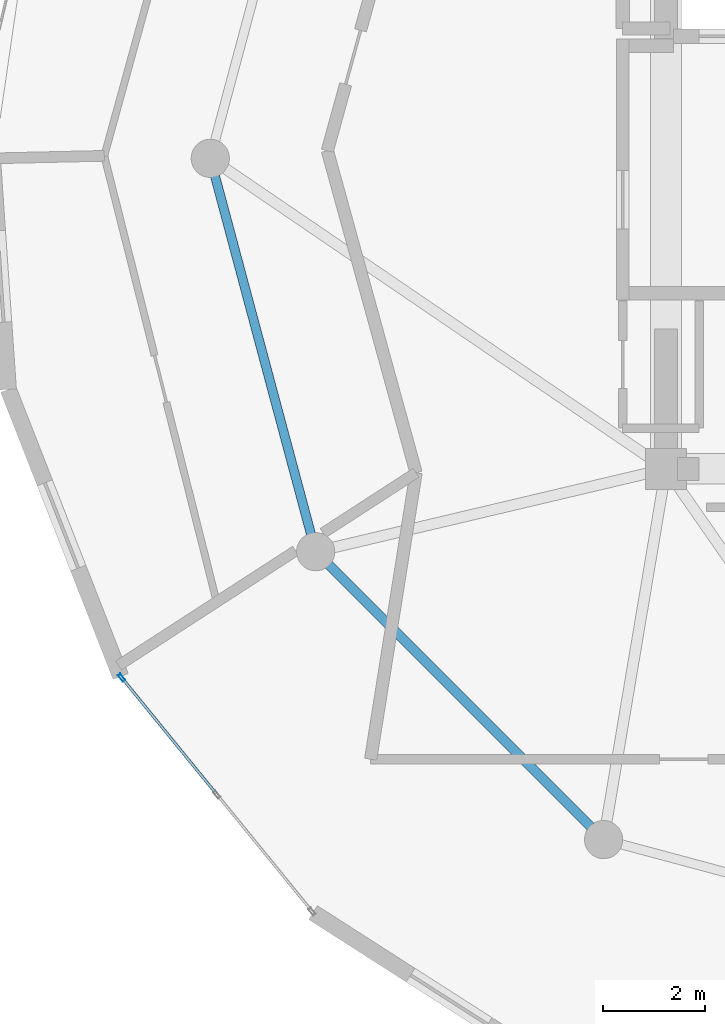
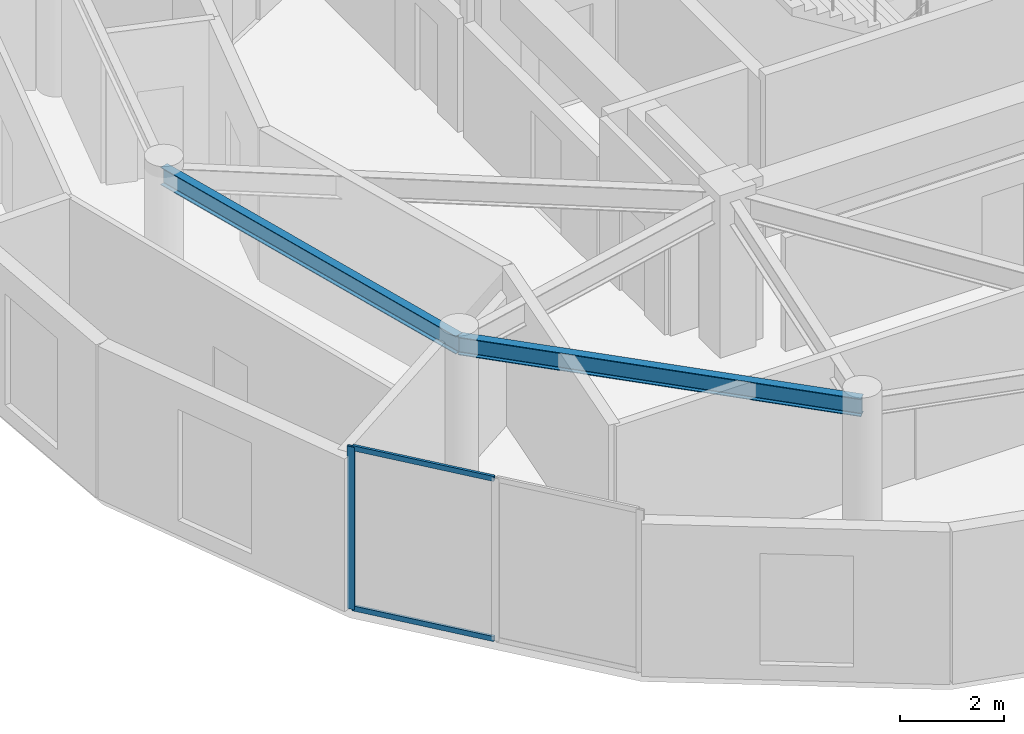
# One storey, part 3 of 22: 3 members, 2 beams, 1 element without a shape of its own.
"""IFC4 building model written with IfcOpenShell, lengths in metres."""

from ifc_helpers import new_model, si_unit, direction, frame, origin, origin_2d, place, context, subcontext, project, spatial, hollow_rectangle, i_section, extrude, source, transform, mapped, material, layer, layer_set, material_profile, profile_set, type_object, element, aggregate, save


model = new_model("IFC4")

# Units and contexts
model_context = context("Model", 3, precision=1e-05, world=origin(), true_north=direction((0.0, 1.0)))
body_context = subcontext(model_context, "Body", "Model", "MODEL_VIEW")
ifc_project = project(units=[si_unit("LENGTHUNIT", "METRE"), si_unit("AREAUNIT", "SQUARE_METRE"), si_unit("VOLUMEUNIT", "CUBIC_METRE"), si_unit("PLANEANGLEUNIT", "RADIAN"), si_unit("MASSUNIT", "GRAM", prefix="KILO")], contexts=[model_context])

# Site, building, storey
site_placement = place(None, origin())
site = spatial("IfcSite", under=ifc_project, at=site_placement, CompositionType="ELEMENT")
building_placement = place(site_placement, origin())
building = spatial("IfcBuilding", under=site, at=building_placement, Name="Solvirekh Grand Hotel", CompositionType="ELEMENT")
storey_placement = place(building_placement, frame((0.0, 0.0, 293.39990234375)))
storey = spatial("IfcBuildingStorey", under=building, at=storey_placement, Name="L76", CompositionType="ELEMENT", Elevation=293.39990234375)

# Beams
ifc_material_1 = material(Name="Steel S355", Category="steel")
ifc_material_profile_1 = material_profile(ifc_material_1, i_section(OverallWidth=0.180908203125, OverallDepth=0.4169921875, WebThickness=0.010009765625, FlangeThickness=0.01611328125, FilletRadius=0.011962890625, at=origin_2d()), Name="W410X85")
ifc_profile_set_1 = profile_set([ifc_material_profile_1], Name="Steel S355")
beam_type = type_object("IfcBeamType", Name="Spandrel_Ring_W410", PredefinedType="SPANDREL", material=ifc_profile_set_1)
beam_1_placement = place(storey_placement, frame((-15.449951171875, 0.0, 3.362060546875), z_axis=(0.258834757072, -0.965921616143, 0.0), x_axis=(0.965921616143, 0.258834757072, 0.0)))
element("IfcBeam", 1, at=beam_1_placement, inside=storey, type_object=beam_type, Name="L76 perimeter spandrel beam 7", PredefinedType="SPANDREL", context=body_context, shape_type="SweptSolid", body=[
    extrude(i_section(OverallWidth=0.180908203125, OverallDepth=0.4169921875, WebThickness=0.010009765625, FlangeThickness=0.01611328125, FilletRadius=0.011962890625, at=origin_2d()), origin(), (0.0, 0.0, 1.0), 7.99755859375),
])
beam_2_placement = place(storey_placement, frame((-13.3798828125, -7.72509765625, 3.362060546875), z_axis=(0.707106781187, -0.707106781187, 0.0), x_axis=(0.707106781187, 0.707106781187, 0.0)))
element("IfcBeam", 2, at=beam_2_placement, inside=storey, type_object=beam_type, Name="L76 perimeter spandrel beam 8", PredefinedType="SPANDREL", context=body_context, shape_type="SweptSolid", body=[
    extrude(i_section(OverallWidth=0.180908203125, OverallDepth=0.4169921875, WebThickness=0.010009765625, FlangeThickness=0.01611328125, FilletRadius=0.011962890625, at=origin_2d()), origin(), (0.0, 0.0, 1.0), 7.9970703125),
])

# Curtain wall, members
ifc_material_2 = material(Name="Anodized Bronze Aluminium 6063-T6", Category="aluminium")
ifc_layer = layer(ifc_material_2, 0.159912109375)
ifc_layer_set = layer_set([ifc_layer], Name="Anodized Bronze Aluminium 6063-T6")
curtain_wall_type = type_object("IfcCurtainWallType", Name="CW_Sys4_HighZoneFlushBronzeCW", PredefinedType="NOTDEFINED", material=ifc_layer_set)
curtain_wall_placement = place(storey_placement, origin())
curtain_wall = element("IfcCurtainWall", 3, at=curtain_wall_placement, inside=storey, type_object=curtain_wall_type, Name="L76 unitised bronze-glass curtain wall CW-L76-C18", PredefinedType="NOTDEFINED")
ifc_material_profile_2 = material_profile(ifc_material_2, hollow_rectangle(XDim=0.06005859375, YDim=0.159912109375, WallThickness=0.0048828125, at=origin_2d()), Name="ALU RHS 160X60X5")
ifc_profile_set_2 = profile_set([ifc_material_profile_2], Name="Anodized Bronze Aluminium 6063-T6")
member_type_1 = type_object("IfcMemberType", Name="CWMullion_Sys4", PredefinedType="MULLION", material=ifc_profile_set_2)
shared_shape_1 = source(origin(), body_context, "Body", "SweptSolid", [
    extrude(hollow_rectangle(XDim=0.06005859375, YDim=0.159912109375, WallThickness=0.0048828125, at=origin_2d()), origin(), (0.0, 0.0, 1.0), 3.800048828125),
])
member_1_placement = place(storey_placement, frame((-17.192138671875, -10.1982421875, 0.0), z_axis=(0.0, 0.0, 1.0), x_axis=(0.775377413326, 0.631498113143, 0.0)))
member_1 = element("IfcMember", 4, at=member_1_placement, type_object=member_type_1, Name="U04 mullion 1", PredefinedType="MULLION", context=body_context, shape_type="MappedRepresentation", body=[
    mapped(shared_shape_1, transform((0.0, 0.0, 0.0), x_axis=(1.0, 0.0, 0.0), y_axis=(0.0, 1.0, 0.0), z_axis=(0.0, 0.0, 1.0), scale=1.0)),
])
ifc_material_profile_3 = material_profile(ifc_material_2, hollow_rectangle(XDim=0.054931640625, YDim=0.1201171875, WallThickness=0.00390625, at=origin_2d()), Name="ALU RHS 120X55X4")
ifc_profile_set_3 = profile_set([ifc_material_profile_3], Name="Anodized Bronze Aluminium 6063-T6")
member_type_2 = type_object("IfcMemberType", Name="CWTransom_Sys4", PredefinedType="USERDEFINED", material=ifc_profile_set_3)
shared_shape_2 = source(origin(), body_context, "Body", "SweptSolid", [
    extrude(hollow_rectangle(XDim=0.054931640625, YDim=0.1201171875, WallThickness=0.00390625, at=origin_2d()), origin(), (0.0, 0.0, 1.0), 2.902099609375),
])
member_2_placement = place(storey_placement, frame((-17.173095703125, -10.221435546875, 0.027587890625), z_axis=(0.631513776247, -0.77536465641, 0.0), x_axis=(0.77536465641, 0.631513776247, 0.0)))
member_2 = element("IfcMember", 5, at=member_2_placement, type_object=member_type_2, Name="U04 transom 1.1", ObjectType="TRANSOM", PredefinedType="USERDEFINED", context=body_context, shape_type="MappedRepresentation", body=[
    mapped(shared_shape_2, transform((0.0, 0.0, 0.0), x_axis=(1.0, 0.0, 0.0), y_axis=(0.0, 1.0, 0.0), z_axis=(0.0, 0.0, 1.0), scale=1.0)),
])
member_3_placement = place(storey_placement, frame((-17.173095703125, -10.221435546875, 3.772705078125), z_axis=(0.631513776247, -0.77536465641, 0.0), x_axis=(0.77536465641, 0.631513776247, 0.0)))
member_3 = element("IfcMember", 6, at=member_3_placement, type_object=member_type_2, Name="U04 transom 1.2", ObjectType="TRANSOM", PredefinedType="USERDEFINED", context=body_context, shape_type="MappedRepresentation", body=[
    mapped(shared_shape_2, transform((0.0, 0.0, 0.0), x_axis=(1.0, 0.0, 0.0), y_axis=(0.0, 1.0, 0.0), z_axis=(0.0, 0.0, 1.0), scale=1.0)),
])
aggregate(curtain_wall, [member_1, member_2, member_3])

save(model, "model.ifc")
